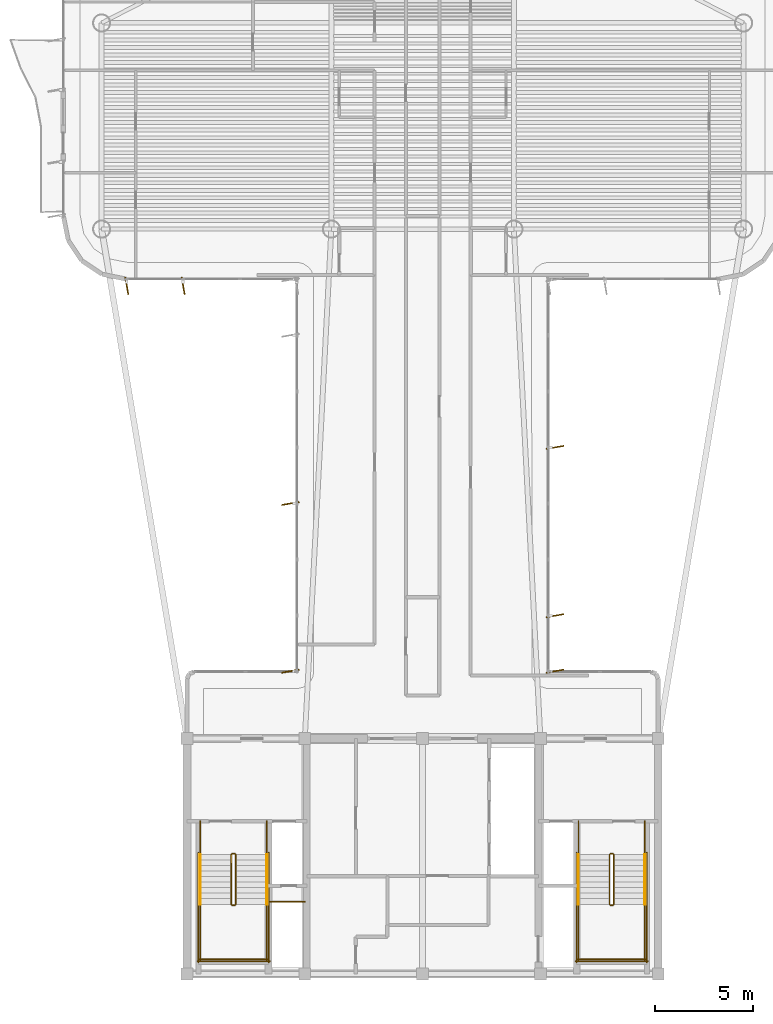
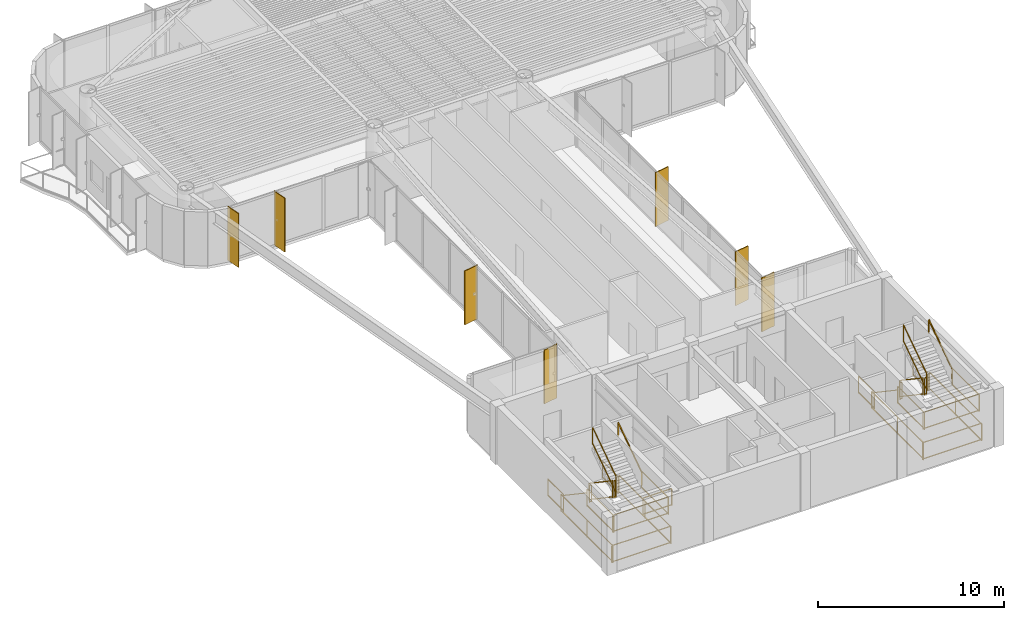
# One storey, part 14 of 15: 29 railings, 7 shading devices.
"""IFC4 building model written with IfcOpenShell, lengths in metres."""

import ifcopenshell
import ifcopenshell.guid

model = None  # the IFC model being written
_history = None  # IfcOwnerHistory: only IFC2X3 demands one
_inside = {}  # id of a spatial element -> (the spatial element, [elements in it])
_under = {}  # id of a project, library or spatial element -> (it, [spatial elements below it])
_declared = {}  # id of a project -> (the project, [libraries it declares])
_typed = {}  # id of a type object -> (the type object, [elements of that type])
_made_of = {}  # id of a material, layer set ... -> (it, [elements and type objects made of it])


def new_model(schema):
    """Start an empty IFC model of exactly this schema.

    Asked for "IFC4X3", IfcOpenShell would pick the latest addendum, in which some entities
    have other attributes; the version numbers below select the first issue.
    IFC2X3 requires an IfcOwnerHistory on every rooted entity: one is made here for all.
    """
    global model, _history
    if schema == "IFC4X3":
        model = ifcopenshell.file(schema_version=(4, 3, 0, 0))
    else:
        model = ifcopenshell.file(schema=schema)
    _inside.clear()
    _under.clear()
    _declared.clear()
    _typed.clear()
    _made_of.clear()
    _history = None
    if model.schema == "IFC2X3":
        org = make("IfcOrganization", Name="unknown")
        user = make(
            "IfcPersonAndOrganization",
            ThePerson=make("IfcPerson", FamilyName="unknown"),
            TheOrganization=org,
        )
        app = make(
            "IfcApplication",
            ApplicationDeveloper=org,
            Version="unknown",
            ApplicationFullName="unknown",
            ApplicationIdentifier="unknown",
        )
        _history = make(
            "IfcOwnerHistory",
            OwningUser=user,
            OwningApplication=app,
            ChangeAction="ADDED",
            CreationDate=0,
        )
    return model


def make(cls, **values):
    """One entity of the class cls with the attributes given. An attribute that is None is left unset."""
    return model.create_entity(
        cls, **{name: value for name, value in values.items() if value is not None}
    )


def rooted(cls, **values):
    """An entity with a GlobalId (a new one), such as an element, a storey or a relation."""
    return make(cls, GlobalId=ifcopenshell.guid.new(), OwnerHistory=_history, **values)


def si_unit(unit_type, name, prefix=None):
    """IfcSIUnit, for example si_unit("LENGTHUNIT", "METRE", prefix="MILLI")."""
    return make("IfcSIUnit", UnitType=unit_type, Prefix=prefix, Name=name)


def assignment(units):
    """IfcUnitAssignment: the units of a project."""
    return None if units is None else make("IfcUnitAssignment", Units=units)


def point(xyz):
    """IfcCartesianPoint."""
    return None if xyz is None else make("IfcCartesianPoint", Coordinates=xyz)


def direction(xyz):
    """IfcDirection."""
    return None if xyz is None else make("IfcDirection", DirectionRatios=xyz)


def frame(location, z_axis=None, x_axis=None):
    """IfcAxis2Placement3D, a coordinate frame: its origin and axes. An axis left out is left unset."""
    return make(
        "IfcAxis2Placement3D",
        Location=point(location),
        Axis=direction(z_axis),
        RefDirection=direction(x_axis),
    )


def frame_2d(location, x_axis=None):
    """IfcAxis2Placement2D, a coordinate frame in the plane: its origin and x axis."""
    return make(
        "IfcAxis2Placement2D", Location=point(location), RefDirection=direction(x_axis)
    )


def origin():
    """The frame at (0, 0, 0) with its axes left unset."""
    return frame((0.0, 0.0, 0.0))


def origin_2d():
    """The frame at (0, 0) in the plane with its x axis left unset."""
    return frame_2d((0.0, 0.0))


def place(relative_to, where):
    """IfcLocalPlacement: puts the frame where relative to a parent placement (None: the world)."""
    return make(
        "IfcLocalPlacement", PlacementRelTo=relative_to, RelativePlacement=where
    )


def context(
    kind, dimensions, precision=None, world=None, true_north=None, identifier=None
):
    """IfcGeometricRepresentationContext, for example the 3D "Model" context."""
    return make(
        "IfcGeometricRepresentationContext",
        ContextIdentifier=identifier,
        ContextType=kind,
        CoordinateSpaceDimension=dimensions,
        Precision=precision,
        WorldCoordinateSystem=world,
        TrueNorth=true_north,
    )


def subcontext(parent, identifier, kind, view, scale=None):
    """IfcGeometricRepresentationSubContext, for example "Body" below "Model"."""
    return make(
        "IfcGeometricRepresentationSubContext",
        ContextIdentifier=identifier,
        ContextType=kind,
        ParentContext=parent,
        TargetScale=scale,
        TargetView=view,
    )


def project(units=None, contexts=None):
    """IfcProject with its units and contexts."""
    return rooted(
        "IfcProject",
        Name="project",
        RepresentationContexts=contexts,
        UnitsInContext=assignment(units),
    )


def spatial(cls, under=None, at=None, **own):
    """A site, building, storey or space (cls), placed at a placement, below another one or the project."""
    s = rooted(cls, ObjectPlacement=at, **own)
    if under is not None:
        _under.setdefault(under.id(), (under, []))[1].append(s)
    return s


def profile(cls, at=None, kind="AREA", **sizes):
    """A parametric profile (cls). Its sizes go by their IFC names, for example OverallWidth=200.0."""
    return make(cls, ProfileType=kind, Position=at, **sizes)


def rectangle(**sizes):
    """IfcRectangleProfileDef."""
    return profile("IfcRectangleProfileDef", **sizes)


def extrude(swept, where, along, depth):
    """IfcExtrudedAreaSolid: the profile swept, set in the frame where, extruded along a direction by depth."""
    return make(
        "IfcExtrudedAreaSolid",
        SweptArea=swept,
        Position=where,
        ExtrudedDirection=direction(along),
        Depth=depth,
    )


def shape(context_of_items, identifier, shape_type, items):
    """IfcShapeRepresentation: the items that make up one representation, for example the "Body"."""
    return make(
        "IfcShapeRepresentation",
        ContextOfItems=context_of_items,
        RepresentationIdentifier=identifier,
        RepresentationType=shape_type,
        Items=items,
    )


def source(mapping_origin, context_of_items, identifier, shape_type, items):
    """IfcRepresentationMap: a shape defined once, which mapped items show again and again."""
    return make(
        "IfcRepresentationMap",
        MappingOrigin=mapping_origin,
        MappedRepresentation=shape(context_of_items, identifier, shape_type, items),
    )


def transform(
    local_origin,
    x_axis=None,
    y_axis=None,
    z_axis=None,
    scale=None,
    scale2=None,
    scale3=None,
    uniform=True,
):
    """IfcCartesianTransformationOperator3D, or its non-uniform kind. x_axis, y_axis, z_axis: its Axis1, 2, 3."""
    if uniform:
        return make(
            "IfcCartesianTransformationOperator3D",
            Axis1=direction(x_axis),
            Axis2=direction(y_axis),
            LocalOrigin=point(local_origin),
            Scale=scale,
            Axis3=direction(z_axis),
        )
    return make(
        "IfcCartesianTransformationOperator3DnonUniform",
        Axis1=direction(x_axis),
        Axis2=direction(y_axis),
        LocalOrigin=point(local_origin),
        Scale=scale,
        Axis3=direction(z_axis),
        Scale2=scale2,
        Scale3=scale3,
    )


def mapped(mapping_source, mapping_target):
    """IfcMappedItem: shows the shape of a source again, moved by a transform."""
    return make(
        "IfcMappedItem", MappingSource=mapping_source, MappingTarget=mapping_target
    )


def material(Name=None, Category=None):
    """IfcMaterial."""
    return make("IfcMaterial", Name=Name, Category=Category)


def layer(
    of_material, thickness, ventilated=None, Name=None, Category=None, Priority=None
):
    """IfcMaterialLayer: one layer of a wall or slab, of a material (None: an air gap)."""
    return make(
        "IfcMaterialLayer",
        Material=of_material,
        LayerThickness=thickness,
        IsVentilated=ventilated,
        Name=Name,
        Category=Category,
        Priority=Priority,
    )


def layer_set(layers, Name=None):
    """IfcMaterialLayerSet."""
    return make("IfcMaterialLayerSet", MaterialLayers=layers, LayerSetName=Name)


def material_profile(
    of_material, cross_section, Name=None, Category=None, Priority=None
):
    """IfcMaterialProfile: a cross section and its material."""
    return make(
        "IfcMaterialProfile",
        Name=Name,
        Material=of_material,
        Profile=cross_section,
        Priority=Priority,
        Category=Category,
    )


def profile_set(profiles, Name=None, composite=None):
    """IfcMaterialProfileSet."""
    return make(
        "IfcMaterialProfileSet",
        Name=Name,
        MaterialProfiles=profiles,
        CompositeProfile=composite,
    )


def made_of(thing, what):
    """Note that an element or type object is made of a material, layer set ...; save() writes the relation."""
    if what is not None:
        _made_of.setdefault(what.id(), (what, []))[1].append(thing)
    return thing


def type_object(cls, material=None, **own):
    """A type object (cls), such as IfcWallType, which elements share."""
    return made_of(rooted(cls, **own), material)


def element(
    cls,
    number,
    at=None,
    inside=None,
    cuts=None,
    type_object=None,
    material=None,
    context=None,
    identifier="Body",
    shape_type=None,
    held_by="IfcProductDefinitionShape",
    body=None,
    shapes=None,
    **own,
):
    """One element of the class cls, such as IfcWall. Its Tag is "e" and its number.

    at: its placement. inside: the storey or other place that contains it. cuts: it is an
    opening in that element (IfcRelVoidsElement). A single representation is given by context,
    identifier, shape_type and body (its items); several are given by shapes. held_by: the class
    of the entity that holds the representations. save() writes the other relations.
    """
    e = rooted(cls, Tag="e%d" % number, ObjectPlacement=at, **own)
    if body is not None:
        shapes = [shape(context, identifier, shape_type, body)]
    if shapes is not None:
        e.Representation = make(held_by, Representations=shapes)
    if inside is not None:
        _inside.setdefault(inside.id(), (inside, []))[1].append(e)
    if cuts is not None:
        rooted(
            "IfcRelVoidsElement", RelatingBuildingElement=cuts, RelatedOpeningElement=e
        )
    if type_object is not None:
        _typed.setdefault(type_object.id(), (type_object, []))[1].append(e)
    return made_of(e, material)


def aggregate(whole, parts):
    """IfcRelAggregates: a whole, such as a stair, and the parts it consists of."""
    return rooted("IfcRelAggregates", RelatingObject=whole, RelatedObjects=parts)


def save(model, path):
    """Write the relations noted so far, then the file.

    IfcRelAggregates (storeys below a building ...), IfcRelContainedInSpatialStructure (elements
    in a storey), IfcRelDefinesByType, IfcRelAssociatesMaterial and IfcRelDeclares: one each for
    every whole, place, type object, material and project.
    """
    for whole, parts in _under.values():
        aggregate(whole, parts)
    for where, things in _inside.values():
        rooted(
            "IfcRelContainedInSpatialStructure",
            RelatedElements=things,
            RelatingStructure=where,
        )
    for kind, things in _typed.values():
        rooted("IfcRelDefinesByType", RelatedObjects=things, RelatingType=kind)
    for what, things in _made_of.values():
        rooted("IfcRelAssociatesMaterial", RelatedObjects=things, RelatingMaterial=what)
    for by, libraries in _declared.values():
        rooted("IfcRelDeclares", RelatingContext=by, RelatedDefinitions=libraries)
    model.write(path)


model = new_model("IFC4")

# Units and contexts
model_context = context("Model", 3, precision=1e-05, world=origin(), true_north=direction((0.0, 1.0)))
body_context = subcontext(model_context, "Body", "Model", "MODEL_VIEW")
ifc_project = project(units=[si_unit("LENGTHUNIT", "METRE"), si_unit("AREAUNIT", "SQUARE_METRE"), si_unit("VOLUMEUNIT", "CUBIC_METRE"), si_unit("PLANEANGLEUNIT", "RADIAN"), si_unit("MASSUNIT", "GRAM", prefix="KILO")], contexts=[model_context])

# Site, building, storey
site_placement = place(None, origin())
site = spatial("IfcSite", under=ifc_project, at=site_placement, CompositionType="ELEMENT")
building_placement = place(site_placement, origin())
building = spatial("IfcBuilding", under=site, at=building_placement, Name="Brelvock Crest Care Tower", CompositionType="ELEMENT")
storey_placement = place(building_placement, frame((0.0, 0.0, 275.93994140625)))
storey = spatial("IfcBuildingStorey", under=building, at=storey_placement, Name="L70", CompositionType="ELEMENT", Elevation=275.93994140625)

# Railings
ifc_material_1 = material(Name="Steel Grade 350", Category="steel")
ifc_layer_1 = layer(ifc_material_1, 0.050048828125, Name="RL-STG1")
ifc_layer_set_1 = layer_set([ifc_layer_1], Name="Steel Grade 350")
railing_type_1 = type_object("IfcRailingType", Name="RL-STG1", PredefinedType="GUARDRAIL", material=ifc_layer_set_1)
railing_1_placement = place(storey_placement, frame((26.260009765625, 12.080078125, 0.18896484375)))
element("IfcRailing", 1, at=railing_1_placement, inside=storey, type_object=railing_type_1, Name="L70 ST-1 stair guard 1", PredefinedType="GUARDRAIL", context=body_context, shape_type="SweptSolid", body=[
    extrude(rectangle(XDim=0.048095703125, YDim=0.048095703125, at=origin_2d()), frame((0.0, -0.001708984375, 1.116943359375), z_axis=(0.0, -0.82882447046, 0.559508710537), x_axis=(1.0, 0.0, 0.0)), (0.0, 0.0, 1.0), 3.036376953125),
    extrude(rectangle(XDim=0.048095703125, YDim=0.048095703125, at=origin_2d()), frame((0.0, -0.001708984375, 0.05615234375), z_axis=(0.0, -0.82882447046, 0.559508710537), x_axis=(1.0, 0.0, 0.0)), (0.0, 0.0, 1.0), 3.036376953125),
    extrude(rectangle(XDim=0.0419921875, YDim=0.0419921875, at=origin_2d()), origin(), (0.0, 0.0, 1.0), 1.08984375),
    extrude(rectangle(XDim=0.0419921875, YDim=0.0419921875, at=origin_2d()), frame((0.0, -2.52001953125, 1.701171875)), (0.0, 0.0, 1.0), 1.08984375),
])
railing_2_placement = place(storey_placement, frame((26.31005859375, 9.510009765625, 1.89013671875)))
element("IfcRailing", 2, at=railing_2_placement, inside=storey, type_object=railing_type_1, Name="L70 ST-1 stair guard 2", PredefinedType="GUARDRAIL", context=body_context, shape_type="SweptSolid", body=[
    extrude(rectangle(XDim=0.048095703125, YDim=0.048095703125, at=origin_2d()), frame((0.001953125, 0.0, 1.11572265625), z_axis=(1.0, 0.0, 0.0), x_axis=(0.0, 1.0, 0.0)), (0.0, 0.0, 1.0), 0.115966796875),
    extrude(rectangle(XDim=0.048095703125, YDim=0.048095703125, at=origin_2d()), frame((0.001953125, 0.0, 0.054931640625), z_axis=(1.0, 0.0, 0.0), x_axis=(0.0, 1.0, 0.0)), (0.0, 0.0, 1.0), 0.115966796875),
    extrude(rectangle(XDim=0.0419921875, YDim=0.0419921875, at=origin_2d()), origin(), (0.0, 0.0, 1.0), 1.08984375),
    extrude(rectangle(XDim=0.0419921875, YDim=0.0419921875, at=origin_2d()), frame((0.119873046875, 0.0, 0.0)), (0.0, 0.0, 1.0), 1.08984375),
])
for number, where, name in (
    (3, (24.679931640625, 9.56005859375, 1.89013671875), "L70 ST-1 stair guard 3"),
    (4, (28.06005859375, 9.56005859375, 1.89013671875), "L70 ST-1 stair guard 4"),
):
    element("IfcRailing", number, at=place(storey_placement, frame(where)), inside=storey, type_object=railing_type_1, Name=name, PredefinedType="GUARDRAIL", context=body_context, shape_type="SweptSolid", body=[
        extrude(rectangle(XDim=0.048095703125, YDim=0.048095703125, at=origin_2d()), frame((0.0, -0.001953125, 1.11572265625), z_axis=(0.0, -1.0, 0.0), x_axis=(1.0, 0.0, 0.0)), (0.0, 0.0, 1.0), 2.856201171875),
        extrude(rectangle(XDim=0.048095703125, YDim=0.048095703125, at=origin_2d()), frame((0.0, -0.001953125, 0.054931640625), z_axis=(0.0, -1.0, 0.0), x_axis=(1.0, 0.0, 0.0)), (0.0, 0.0, 1.0), 2.856201171875),
        extrude(rectangle(XDim=0.0419921875, YDim=0.0419921875, at=origin_2d()), origin(), (0.0, 0.0, 1.0), 1.08984375),
        extrude(rectangle(XDim=0.0419921875, YDim=0.0419921875, at=origin_2d()), frame((0.0, -2.860107421875, 0.0)), (0.0, 0.0, 1.0), 1.08984375),
    ])
railing_3_placement = place(storey_placement, frame((24.6298828125, 6.75, 1.89013671875)))
element("IfcRailing", 5, at=railing_3_placement, inside=storey, type_object=railing_type_1, Name="L70 ST-1 stair guard 5", PredefinedType="GUARDRAIL", context=body_context, shape_type="SweptSolid", body=[
    extrude(rectangle(XDim=0.048095703125, YDim=0.048095703125, at=origin_2d()), frame((0.001953125, 0.0, 1.11572265625), z_axis=(1.0, 0.0, 0.0), x_axis=(0.0, 1.0, 0.0)), (0.0, 0.0, 1.0), 3.476318359375),
    extrude(rectangle(XDim=0.048095703125, YDim=0.048095703125, at=origin_2d()), frame((0.001953125, 0.0, 0.054931640625), z_axis=(1.0, 0.0, 0.0), x_axis=(0.0, 1.0, 0.0)), (0.0, 0.0, 1.0), 3.476318359375),
    extrude(rectangle(XDim=0.0419921875, YDim=0.0419921875, at=origin_2d()), origin(), (0.0, 0.0, 1.0), 1.08984375),
    extrude(rectangle(XDim=0.0419921875, YDim=0.0419921875, at=origin_2d()), frame((3.480224609375, 0.0, 0.0)), (0.0, 0.0, 1.0), 1.08984375),
])
railing_4_placement = place(storey_placement, frame((26.47998046875, 9.56005859375, 2.0791015625)))
element("IfcRailing", 6, at=railing_4_placement, inside=storey, type_object=railing_type_1, Name="L70 ST-1 stair guard 6", PredefinedType="GUARDRAIL", context=body_context, shape_type="SweptSolid", body=[
    extrude(rectangle(XDim=0.048095703125, YDim=0.048095703125, at=origin_2d()), frame((0.0, 0.001708984375, 1.116943359375), z_axis=(0.0, 0.828861706735, 0.559453546873), x_axis=(-1.0, 0.0, 0.0)), (0.0, 0.0, 1.0), 3.036376953125),
    extrude(rectangle(XDim=0.048095703125, YDim=0.048095703125, at=origin_2d()), frame((0.0, 0.001708984375, 0.05615234375), z_axis=(0.0, 0.828861706735, 0.559453546873), x_axis=(-1.0, 0.0, 0.0)), (0.0, 0.0, 1.0), 3.036376953125),
    extrude(rectangle(XDim=0.0419921875, YDim=0.0419921875, at=origin_2d()), origin(), (0.0, 0.0, 1.0), 1.08984375),
    extrude(rectangle(XDim=0.0419921875, YDim=0.0419921875, at=origin_2d()), frame((0.0, 2.52001953125, 1.700927734375)), (0.0, 0.0, 1.0), 1.08984375),
])
railing_5_placement = place(storey_placement, frame((26.31005859375, 12.1298828125, 0.0)))
element("IfcRailing", 7, at=railing_5_placement, inside=storey, type_object=railing_type_1, Name="L70 ST-1 stair guard 7", PredefinedType="GUARDRAIL", context=body_context, shape_type="SweptSolid", body=[
    extrude(rectangle(XDim=0.048095703125, YDim=0.048095703125, at=origin_2d()), frame((0.001953125, 0.0, 1.11572265625), z_axis=(1.0, 0.0, 0.0), x_axis=(0.0, 1.0, 0.0)), (0.0, 0.0, 1.0), 0.115966796875),
    extrude(rectangle(XDim=0.048095703125, YDim=0.048095703125, at=origin_2d()), frame((0.001953125, 0.0, 0.054931640625), z_axis=(1.0, 0.0, 0.0), x_axis=(0.0, 1.0, 0.0)), (0.0, 0.0, 1.0), 0.115966796875),
    extrude(rectangle(XDim=0.0419921875, YDim=0.0419921875, at=origin_2d()), origin(), (0.0, 0.0, 1.0), 1.08984375),
    extrude(rectangle(XDim=0.0419921875, YDim=0.0419921875, at=origin_2d()), frame((0.119873046875, 0.0, 0.0)), (0.0, 0.0, 1.0), 1.08984375),
])
for number, where, name in (
    (8, (24.679931640625, 13.780029296875, 0.0), "L70 ST-1 stair guard 8"),
    (9, (28.06005859375, 13.780029296875, 0.0), "L70 ST-1 stair guard 9"),
):
    element("IfcRailing", number, at=place(storey_placement, frame(where)), inside=storey, type_object=railing_type_1, Name=name, PredefinedType="GUARDRAIL", context=body_context, shape_type="SweptSolid", body=[
        extrude(rectangle(XDim=0.048095703125, YDim=0.048095703125, at=origin_2d()), frame((0.0, -0.001953125, 1.11572265625), z_axis=(0.0, -1.0, 0.0), x_axis=(1.0, 0.0, 0.0)), (0.0, 0.0, 1.0), 1.696044921875),
        extrude(rectangle(XDim=0.048095703125, YDim=0.048095703125, at=origin_2d()), frame((0.0, -0.001953125, 0.054931640625), z_axis=(0.0, -1.0, 0.0), x_axis=(1.0, 0.0, 0.0)), (0.0, 0.0, 1.0), 1.696044921875),
        extrude(rectangle(XDim=0.0419921875, YDim=0.0419921875, at=origin_2d()), origin(), (0.0, 0.0, 1.0), 1.08984375),
        extrude(rectangle(XDim=0.0419921875, YDim=0.0419921875, at=origin_2d()), frame((0.0, -1.699951171875, 0.0)), (0.0, 0.0, 1.0), 1.08984375),
    ])
for number, where, name in (
    (10, (24.580078125, 12.179931640625, 0.0), "L70 ST-1 stair guard 10"),
    (11, (28.159912109375, 12.179931640625, 0.0), "L70 ST-1 stair guard 11"),
):
    element("IfcRailing", number, at=place(storey_placement, frame(where)), inside=storey, type_object=railing_type_1, Name=name, PredefinedType="GUARDRAIL", context=body_context, shape_type="SweptSolid", body=[
        extrude(rectangle(XDim=0.048095703125, YDim=0.048095703125, at=origin_2d()), frame((0.0, -0.001953125, 1.11572265625), z_axis=(0.0, -1.0, 0.0), x_axis=(1.0, 0.0, 0.0)), (0.0, 0.0, 1.0), 5.575927734375),
        extrude(rectangle(XDim=0.048095703125, YDim=0.048095703125, at=origin_2d()), frame((0.0, -0.001953125, 0.054931640625), z_axis=(0.0, -1.0, 0.0), x_axis=(1.0, 0.0, 0.0)), (0.0, 0.0, 1.0), 5.575927734375),
        extrude(rectangle(XDim=0.0419921875, YDim=0.0419921875, at=origin_2d()), origin(), (0.0, 0.0, 1.0), 1.08984375),
        extrude(rectangle(XDim=0.0419921875, YDim=0.0419921875, at=origin_2d()), frame((0.0, -2.7900390625, 0.0)), (0.0, 0.0, 1.0), 1.08984375),
        extrude(rectangle(XDim=0.0419921875, YDim=0.0419921875, at=origin_2d()), frame((0.0, -5.579833984375, 0.0)), (0.0, 0.0, 1.0), 1.08984375),
    ])
railing_6_placement = place(storey_placement, frame((24.530029296875, 6.64990234375, 0.0)))
element("IfcRailing", 12, at=railing_6_placement, inside=storey, type_object=railing_type_1, Name="L70 ST-1 stair guard 12", PredefinedType="GUARDRAIL", context=body_context, shape_type="SweptSolid", body=[
    extrude(rectangle(XDim=0.048095703125, YDim=0.048095703125, at=origin_2d()), frame((0.001953125, 0.0, 1.11572265625), z_axis=(1.0, 0.0, 0.0), x_axis=(0.0, 1.0, 0.0)), (0.0, 0.0, 1.0), 3.676025390625),
    extrude(rectangle(XDim=0.048095703125, YDim=0.048095703125, at=origin_2d()), frame((0.001953125, 0.0, 0.054931640625), z_axis=(1.0, 0.0, 0.0), x_axis=(0.0, 1.0, 0.0)), (0.0, 0.0, 1.0), 3.676025390625),
    extrude(rectangle(XDim=0.0419921875, YDim=0.0419921875, at=origin_2d()), origin(), (0.0, 0.0, 1.0), 1.08984375),
    extrude(rectangle(XDim=0.0419921875, YDim=0.0419921875, at=origin_2d()), frame((3.679931640625, 0.0, 0.0)), (0.0, 0.0, 1.0), 1.08984375),
])
railing_7_placement = place(storey_placement, frame((45.52001953125, 12.080078125, 0.18896484375)))
element("IfcRailing", 13, at=railing_7_placement, inside=storey, type_object=railing_type_1, Name="L70 ST-2 stair guard 1", PredefinedType="GUARDRAIL", context=body_context, shape_type="SweptSolid", body=[
    extrude(rectangle(XDim=0.048095703125, YDim=0.048095703125, at=origin_2d()), frame((0.0, -0.001708984375, 1.116943359375), z_axis=(0.0, -0.82882447046, 0.559508710537), x_axis=(1.0, 0.0, 0.0)), (0.0, 0.0, 1.0), 3.036376953125),
    extrude(rectangle(XDim=0.048095703125, YDim=0.048095703125, at=origin_2d()), frame((0.0, -0.001708984375, 0.05615234375), z_axis=(0.0, -0.82882447046, 0.559508710537), x_axis=(1.0, 0.0, 0.0)), (0.0, 0.0, 1.0), 3.036376953125),
    extrude(rectangle(XDim=0.0419921875, YDim=0.0419921875, at=origin_2d()), origin(), (0.0, 0.0, 1.0), 1.08984375),
    extrude(rectangle(XDim=0.0419921875, YDim=0.0419921875, at=origin_2d()), frame((0.0, -2.52001953125, 1.701171875)), (0.0, 0.0, 1.0), 1.08984375),
])
railing_8_placement = place(storey_placement, frame((45.570068359375, 9.510009765625, 1.89013671875)))
element("IfcRailing", 14, at=railing_8_placement, inside=storey, type_object=railing_type_1, Name="L70 ST-2 stair guard 2", PredefinedType="GUARDRAIL", context=body_context, shape_type="SweptSolid", body=[
    extrude(rectangle(XDim=0.048095703125, YDim=0.048095703125, at=origin_2d()), frame((0.001953125, 0.0, 1.11572265625), z_axis=(1.0, 0.0, 0.0), x_axis=(0.0, 1.0, 0.0)), (0.0, 0.0, 1.0), 0.115966796875),
    extrude(rectangle(XDim=0.048095703125, YDim=0.048095703125, at=origin_2d()), frame((0.001953125, 0.0, 0.054931640625), z_axis=(1.0, 0.0, 0.0), x_axis=(0.0, 1.0, 0.0)), (0.0, 0.0, 1.0), 0.115966796875),
    extrude(rectangle(XDim=0.0419921875, YDim=0.0419921875, at=origin_2d()), origin(), (0.0, 0.0, 1.0), 1.08984375),
    extrude(rectangle(XDim=0.0419921875, YDim=0.0419921875, at=origin_2d()), frame((0.119873046875, 0.0, 0.0)), (0.0, 0.0, 1.0), 1.08984375),
])
for number, where, name in (
    (15, (43.93994140625, 9.56005859375, 1.89013671875), "L70 ST-2 stair guard 3"),
    (16, (47.320068359375, 9.56005859375, 1.89013671875), "L70 ST-2 stair guard 4"),
):
    element("IfcRailing", number, at=place(storey_placement, frame(where)), inside=storey, type_object=railing_type_1, Name=name, PredefinedType="GUARDRAIL", context=body_context, shape_type="SweptSolid", body=[
        extrude(rectangle(XDim=0.048095703125, YDim=0.048095703125, at=origin_2d()), frame((0.0, -0.001953125, 1.11572265625), z_axis=(0.0, -1.0, 0.0), x_axis=(1.0, 0.0, 0.0)), (0.0, 0.0, 1.0), 2.856201171875),
        extrude(rectangle(XDim=0.048095703125, YDim=0.048095703125, at=origin_2d()), frame((0.0, -0.001953125, 0.054931640625), z_axis=(0.0, -1.0, 0.0), x_axis=(1.0, 0.0, 0.0)), (0.0, 0.0, 1.0), 2.856201171875),
        extrude(rectangle(XDim=0.0419921875, YDim=0.0419921875, at=origin_2d()), origin(), (0.0, 0.0, 1.0), 1.08984375),
        extrude(rectangle(XDim=0.0419921875, YDim=0.0419921875, at=origin_2d()), frame((0.0, -2.860107421875, 0.0)), (0.0, 0.0, 1.0), 1.08984375),
    ])
railing_9_placement = place(storey_placement, frame((43.889892578125, 6.75, 1.89013671875)))
element("IfcRailing", 17, at=railing_9_placement, inside=storey, type_object=railing_type_1, Name="L70 ST-2 stair guard 5", PredefinedType="GUARDRAIL", context=body_context, shape_type="SweptSolid", body=[
    extrude(rectangle(XDim=0.048095703125, YDim=0.048095703125, at=origin_2d()), frame((0.001953125, 0.0, 1.11572265625), z_axis=(1.0, 0.0, 0.0), x_axis=(0.0, 1.0, 0.0)), (0.0, 0.0, 1.0), 3.476318359375),
    extrude(rectangle(XDim=0.048095703125, YDim=0.048095703125, at=origin_2d()), frame((0.001953125, 0.0, 0.054931640625), z_axis=(1.0, 0.0, 0.0), x_axis=(0.0, 1.0, 0.0)), (0.0, 0.0, 1.0), 3.476318359375),
    extrude(rectangle(XDim=0.0419921875, YDim=0.0419921875, at=origin_2d()), origin(), (0.0, 0.0, 1.0), 1.08984375),
    extrude(rectangle(XDim=0.0419921875, YDim=0.0419921875, at=origin_2d()), frame((3.480224609375, 0.0, 0.0)), (0.0, 0.0, 1.0), 1.08984375),
])
railing_10_placement = place(storey_placement, frame((45.739990234375, 9.56005859375, 2.0791015625)))
element("IfcRailing", 18, at=railing_10_placement, inside=storey, type_object=railing_type_1, Name="L70 ST-2 stair guard 6", PredefinedType="GUARDRAIL", context=body_context, shape_type="SweptSolid", body=[
    extrude(rectangle(XDim=0.048095703125, YDim=0.048095703125, at=origin_2d()), frame((0.0, 0.001708984375, 1.116943359375), z_axis=(0.0, 0.828861706735, 0.559453546873), x_axis=(-1.0, 0.0, 0.0)), (0.0, 0.0, 1.0), 3.036376953125),
    extrude(rectangle(XDim=0.048095703125, YDim=0.048095703125, at=origin_2d()), frame((0.0, 0.001708984375, 0.05615234375), z_axis=(0.0, 0.828861706735, 0.559453546873), x_axis=(-1.0, 0.0, 0.0)), (0.0, 0.0, 1.0), 3.036376953125),
    extrude(rectangle(XDim=0.0419921875, YDim=0.0419921875, at=origin_2d()), origin(), (0.0, 0.0, 1.0), 1.08984375),
    extrude(rectangle(XDim=0.0419921875, YDim=0.0419921875, at=origin_2d()), frame((0.0, 2.52001953125, 1.700927734375)), (0.0, 0.0, 1.0), 1.08984375),
])
railing_11_placement = place(storey_placement, frame((45.570068359375, 12.1298828125, 0.0)))
element("IfcRailing", 19, at=railing_11_placement, inside=storey, type_object=railing_type_1, Name="L70 ST-2 stair guard 7", PredefinedType="GUARDRAIL", context=body_context, shape_type="SweptSolid", body=[
    extrude(rectangle(XDim=0.048095703125, YDim=0.048095703125, at=origin_2d()), frame((0.001953125, 0.0, 1.11572265625), z_axis=(1.0, 0.0, 0.0), x_axis=(0.0, 1.0, 0.0)), (0.0, 0.0, 1.0), 0.115966796875),
    extrude(rectangle(XDim=0.048095703125, YDim=0.048095703125, at=origin_2d()), frame((0.001953125, 0.0, 0.054931640625), z_axis=(1.0, 0.0, 0.0), x_axis=(0.0, 1.0, 0.0)), (0.0, 0.0, 1.0), 0.115966796875),
    extrude(rectangle(XDim=0.0419921875, YDim=0.0419921875, at=origin_2d()), origin(), (0.0, 0.0, 1.0), 1.08984375),
    extrude(rectangle(XDim=0.0419921875, YDim=0.0419921875, at=origin_2d()), frame((0.119873046875, 0.0, 0.0)), (0.0, 0.0, 1.0), 1.08984375),
])
for number, where, name in (
    (20, (43.93994140625, 13.780029296875, 0.0), "L70 ST-2 stair guard 8"),
    (21, (47.320068359375, 13.780029296875, 0.0), "L70 ST-2 stair guard 9"),
):
    element("IfcRailing", number, at=place(storey_placement, frame(where)), inside=storey, type_object=railing_type_1, Name=name, PredefinedType="GUARDRAIL", context=body_context, shape_type="SweptSolid", body=[
        extrude(rectangle(XDim=0.048095703125, YDim=0.048095703125, at=origin_2d()), frame((0.0, -0.001953125, 1.11572265625), z_axis=(0.0, -1.0, 0.0), x_axis=(1.0, 0.0, 0.0)), (0.0, 0.0, 1.0), 1.696044921875),
        extrude(rectangle(XDim=0.048095703125, YDim=0.048095703125, at=origin_2d()), frame((0.0, -0.001953125, 0.054931640625), z_axis=(0.0, -1.0, 0.0), x_axis=(1.0, 0.0, 0.0)), (0.0, 0.0, 1.0), 1.696044921875),
        extrude(rectangle(XDim=0.0419921875, YDim=0.0419921875, at=origin_2d()), origin(), (0.0, 0.0, 1.0), 1.08984375),
        extrude(rectangle(XDim=0.0419921875, YDim=0.0419921875, at=origin_2d()), frame((0.0, -1.699951171875, 0.0)), (0.0, 0.0, 1.0), 1.08984375),
    ])
for number, where, name in (
    (22, (43.840087890625, 12.179931640625, 0.0), "L70 ST-2 stair guard 10"),
    (23, (47.419921875, 12.179931640625, 0.0), "L70 ST-2 stair guard 11"),
):
    element("IfcRailing", number, at=place(storey_placement, frame(where)), inside=storey, type_object=railing_type_1, Name=name, PredefinedType="GUARDRAIL", context=body_context, shape_type="SweptSolid", body=[
        extrude(rectangle(XDim=0.048095703125, YDim=0.048095703125, at=origin_2d()), frame((0.0, -0.001953125, 1.11572265625), z_axis=(0.0, -1.0, 0.0), x_axis=(1.0, 0.0, 0.0)), (0.0, 0.0, 1.0), 5.575927734375),
        extrude(rectangle(XDim=0.048095703125, YDim=0.048095703125, at=origin_2d()), frame((0.0, -0.001953125, 0.054931640625), z_axis=(0.0, -1.0, 0.0), x_axis=(1.0, 0.0, 0.0)), (0.0, 0.0, 1.0), 5.575927734375),
        extrude(rectangle(XDim=0.0419921875, YDim=0.0419921875, at=origin_2d()), origin(), (0.0, 0.0, 1.0), 1.08984375),
        extrude(rectangle(XDim=0.0419921875, YDim=0.0419921875, at=origin_2d()), frame((0.0, -2.7900390625, 0.0)), (0.0, 0.0, 1.0), 1.08984375),
        extrude(rectangle(XDim=0.0419921875, YDim=0.0419921875, at=origin_2d()), frame((0.0, -5.579833984375, 0.0)), (0.0, 0.0, 1.0), 1.08984375),
    ])
railing_12_placement = place(storey_placement, frame((43.7900390625, 6.64990234375, 0.0)))
element("IfcRailing", 24, at=railing_12_placement, inside=storey, type_object=railing_type_1, Name="L70 ST-2 stair guard 12", PredefinedType="GUARDRAIL", context=body_context, shape_type="SweptSolid", body=[
    extrude(rectangle(XDim=0.048095703125, YDim=0.048095703125, at=origin_2d()), frame((0.001953125, 0.0, 1.11572265625), z_axis=(1.0, 0.0, 0.0), x_axis=(0.0, 1.0, 0.0)), (0.0, 0.0, 1.0), 3.676025390625),
    extrude(rectangle(XDim=0.048095703125, YDim=0.048095703125, at=origin_2d()), frame((0.001953125, 0.0, 0.054931640625), z_axis=(1.0, 0.0, 0.0), x_axis=(0.0, 1.0, 0.0)), (0.0, 0.0, 1.0), 3.676025390625),
    extrude(rectangle(XDim=0.0419921875, YDim=0.0419921875, at=origin_2d()), origin(), (0.0, 0.0, 1.0), 1.08984375),
    extrude(rectangle(XDim=0.0419921875, YDim=0.0419921875, at=origin_2d()), frame((3.679931640625, 0.0, 0.0)), (0.0, 0.0, 1.0), 1.08984375),
])
railing_13_placement = place(storey_placement, frame((28.219970703125, 9.679931640625, 0.0)))
element("IfcRailing", 25, at=railing_13_placement, inside=storey, type_object=railing_type_1, Name="L70 Fire Riser Threshold Guard", PredefinedType="GUARDRAIL", context=body_context, shape_type="SweptSolid", body=[
    extrude(rectangle(XDim=0.048095703125, YDim=0.048095703125, at=origin_2d()), frame((0.001953125, 0.0, 1.11572265625), z_axis=(1.0, 0.0, 0.0), x_axis=(0.0, 1.0, 0.0)), (0.0, 0.0, 1.0), 1.776123046875),
    extrude(rectangle(XDim=0.048095703125, YDim=0.048095703125, at=origin_2d()), frame((0.001953125, 0.0, 0.054931640625), z_axis=(1.0, 0.0, 0.0), x_axis=(0.0, 1.0, 0.0)), (0.0, 0.0, 1.0), 1.776123046875),
    extrude(rectangle(XDim=0.0419921875, YDim=0.0419921875, at=origin_2d()), origin(), (0.0, 0.0, 1.0), 1.08984375),
    extrude(rectangle(XDim=0.0419921875, YDim=0.0419921875, at=origin_2d()), frame((1.780029296875, 0.0, 0.0)), (0.0, 0.0, 1.0), 1.08984375),
])
ifc_layer_2 = layer(ifc_material_1, 0.048095703125, Name="RL-STH1")
ifc_layer_set_2 = layer_set([ifc_layer_2], Name="Steel Grade 350")
railing_type_2 = type_object("IfcRailingType", Name="RL-STH1", PredefinedType="HANDRAIL", material=ifc_layer_set_2)
railing_14_placement = place(storey_placement, frame((24.679931640625, 12.080078125, 0.18896484375)))
element("IfcRailing", 26, at=railing_14_placement, inside=storey, type_object=railing_type_2, Name="L70 ST-1 stair handrail 1", PredefinedType="HANDRAIL", context=body_context, shape_type="SweptSolid", body=[
    extrude(rectangle(XDim=0.048095703125, YDim=0.048095703125, at=origin_2d()), frame((0.0, -0.001708984375, 0.876953125), z_axis=(0.0, -0.82882447046, 0.559508710537), x_axis=(1.0, 0.0, 0.0)), (0.0, 0.0, 1.0), 3.036376953125),
    extrude(rectangle(XDim=0.0419921875, YDim=0.0419921875, at=origin_2d()), origin(), (0.0, 0.0, 1.0), 0.849853515625),
    extrude(rectangle(XDim=0.0419921875, YDim=0.0419921875, at=origin_2d()), frame((0.0, -2.52001953125, 1.701171875)), (0.0, 0.0, 1.0), 0.849853515625),
])
railing_15_placement = place(storey_placement, frame((28.06005859375, 9.56005859375, 2.0791015625)))
element("IfcRailing", 27, at=railing_15_placement, inside=storey, type_object=railing_type_2, Name="L70 ST-1 stair handrail 2", PredefinedType="HANDRAIL", context=body_context, shape_type="SweptSolid", body=[
    extrude(rectangle(XDim=0.048095703125, YDim=0.048095703125, at=origin_2d()), frame((0.0, 0.001708984375, 0.876953125), z_axis=(0.0, 0.828861706735, 0.559453546873), x_axis=(-1.0, 0.0, 0.0)), (0.0, 0.0, 1.0), 3.036376953125),
    extrude(rectangle(XDim=0.0419921875, YDim=0.0419921875, at=origin_2d()), origin(), (0.0, 0.0, 1.0), 0.849853515625),
    extrude(rectangle(XDim=0.0419921875, YDim=0.0419921875, at=origin_2d()), frame((0.0, 2.52001953125, 1.700927734375)), (0.0, 0.0, 1.0), 0.849853515625),
])
railing_16_placement = place(storey_placement, frame((43.93994140625, 12.080078125, 0.18896484375)))
element("IfcRailing", 28, at=railing_16_placement, inside=storey, type_object=railing_type_2, Name="L70 ST-2 stair handrail 1", PredefinedType="HANDRAIL", context=body_context, shape_type="SweptSolid", body=[
    extrude(rectangle(XDim=0.048095703125, YDim=0.048095703125, at=origin_2d()), frame((0.0, -0.001708984375, 0.876953125), z_axis=(0.0, -0.82882447046, 0.559508710537), x_axis=(1.0, 0.0, 0.0)), (0.0, 0.0, 1.0), 3.036376953125),
    extrude(rectangle(XDim=0.0419921875, YDim=0.0419921875, at=origin_2d()), origin(), (0.0, 0.0, 1.0), 0.849853515625),
    extrude(rectangle(XDim=0.0419921875, YDim=0.0419921875, at=origin_2d()), frame((0.0, -2.52001953125, 1.701171875)), (0.0, 0.0, 1.0), 0.849853515625),
])
railing_17_placement = place(storey_placement, frame((47.320068359375, 9.56005859375, 2.0791015625)))
element("IfcRailing", 29, at=railing_17_placement, inside=storey, type_object=railing_type_2, Name="L70 ST-2 stair handrail 2", PredefinedType="HANDRAIL", context=body_context, shape_type="SweptSolid", body=[
    extrude(rectangle(XDim=0.048095703125, YDim=0.048095703125, at=origin_2d()), frame((0.0, 0.001708984375, 0.876953125), z_axis=(0.0, 0.828861706735, 0.559453546873), x_axis=(-1.0, 0.0, 0.0)), (0.0, 0.0, 1.0), 3.036376953125),
    extrude(rectangle(XDim=0.0419921875, YDim=0.0419921875, at=origin_2d()), origin(), (0.0, 0.0, 1.0), 0.849853515625),
    extrude(rectangle(XDim=0.0419921875, YDim=0.0419921875, at=origin_2d()), frame((0.0, 2.52001953125, 1.700927734375)), (0.0, 0.0, 1.0), 0.849853515625),
])

# Shading devices
ifc_material_2 = material(Name="Aluminium 6063-T6", Category="aluminium")
ifc_material_profile = material_profile(ifc_material_2, rectangle(XDim=0.054931640625, YDim=0.89990234375, at=origin_2d()), Name="FIN55x900")
ifc_profile_set = profile_set([ifc_material_profile], Name="Aluminium 6063-T6")
shading_device_type = type_object("IfcShadingDeviceType", Name="SHD-FIN1", PredefinedType="USERDEFINED", material=ifc_profile_set)
shared_shape = source(origin(), body_context, "Body", "SweptSolid", [
    extrude(rectangle(XDim=0.054931640625, YDim=0.89990234375, at=origin_2d()), origin(), (0.0, 0.0, 1.0), 3.530029296875),
])
for number, where, z_axis, x_axis, name in (
    (30, (29.260009765625, 21.429931640625, 0.0), (0.0, 0.0, 1.0), (-0.173648177667, 0.984807753012, 0.0), "L70 Vertical Sunshade Fin E11-01"),
    (31, (29.260009765625, 29.971435546875, 0.0), (0.0, 0.0, 1.0), (-0.173648177667, 0.984807753012, 0.0), "L70 Vertical Sunshade Fin E11-04"),
    (32, (23.800048828125, 41.06005859375, 0.0), (0.0, 0.0, 1.0), (-0.984807753012, -0.173648177667, 0.0), "L70 Vertical Sunshade Fin E12-03"),
    (33, (20.929931640625, 41.06005859375, 0.0), (0.0, 0.0, 1.0), (-0.984807753012, -0.173648177667, 0.0), "L70 Vertical Sunshade Fin E12-04"),
    (34, (42.739990234375, 32.82861328125, 0.0), (0.0, 0.0, 1.0), (0.173648177667, -0.984807753012, 0.0), "L70 Vertical Sunshade Fin E45-04"),
    (35, (42.739990234375, 24.257080078125, 0.0), (0.0, 0.0, 1.0), (0.173648177667, -0.984807753012, 0.0), "L70 Vertical Sunshade Fin E45-07"),
    (36, (42.739990234375, 21.429931640625, 0.0), (0.0, 0.0, 1.0), (0.173648177667, -0.984807753012, 0.0), "L70 Vertical Sunshade Fin E45-08"),
):
    element("IfcShadingDevice", number, at=place(storey_placement, frame(where, z_axis=z_axis, x_axis=x_axis)), inside=storey, type_object=shading_device_type, Name=name, ObjectType="FIN", PredefinedType="USERDEFINED", context=body_context, shape_type="MappedRepresentation", body=[
        mapped(shared_shape, transform((0.0, 0.0, 0.0), x_axis=(1.0, 0.0, 0.0), y_axis=(0.0, 1.0, 0.0), z_axis=(0.0, 0.0, 1.0), scale=1.0)),
    ])

save(model, "model.ifc")
